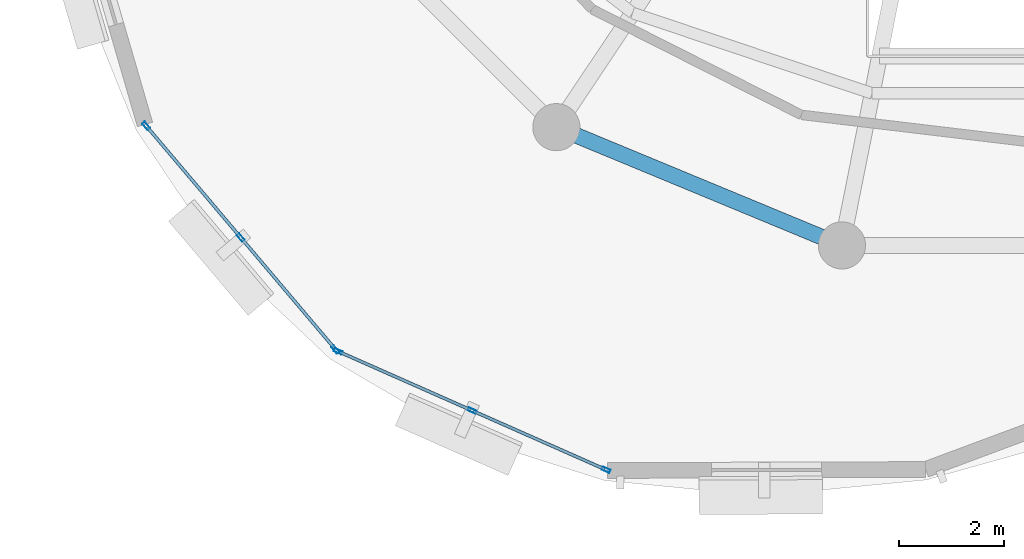
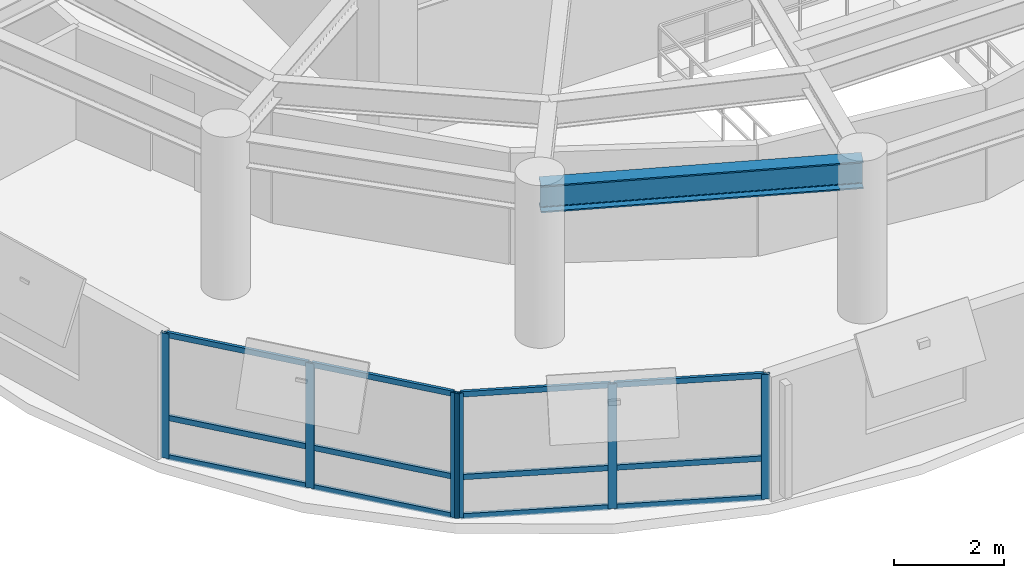
# One storey, part 2 of 11: 18 members, 1 beam, 2 elements without a shape of their own.
"""IFC4 building model written with IfcOpenShell, lengths in metres."""

from ifc_helpers import new_model, si_unit, direction, frame, origin, origin_2d, place, context, subcontext, project, spatial, hollow_rectangle, i_section, extrude, material, layer, layer_set, material_profile, profile_set, type_object, element, aggregate, save


model = new_model("IFC4")

# Units and contexts
model_context = context("Model", 3, precision=1e-05, world=origin(), true_north=direction((0.0, 1.0)))
body_context = subcontext(model_context, "Body", "Model", "MODEL_VIEW")
ifc_project = project(units=[si_unit("LENGTHUNIT", "METRE"), si_unit("AREAUNIT", "SQUARE_METRE"), si_unit("VOLUMEUNIT", "CUBIC_METRE"), si_unit("PLANEANGLEUNIT", "RADIAN"), si_unit("MASSUNIT", "GRAM", prefix="KILO"), si_unit("THERMODYNAMICTEMPERATUREUNIT", "KELVIN"), si_unit("POWERUNIT", "WATT")], contexts=[model_context])

# Site, building, storey
site_placement = place(None, origin())
site = spatial("IfcSite", under=ifc_project, at=site_placement, CompositionType="ELEMENT")
building_placement = place(site_placement, origin())
building = spatial("IfcBuilding", under=site, at=building_placement, Name="Ocrelia Relay Tower", CompositionType="ELEMENT")
storey_placement = place(building_placement, frame((0.0, 0.0, 252.0)))
storey = spatial("IfcBuildingStorey", under=building, at=storey_placement, Name="L62", CompositionType="ELEMENT", Elevation=252.0)

# Beam
ifc_material_1 = material(Name="Steel S355", Category="steel")
ifc_material_profile_1 = material_profile(ifc_material_1, i_section(OverallWidth=0.300048828125, OverallDepth=0.60009765625, WebThickness=0.015380859375, FlangeThickness=0.030029296875, FilletRadius=0.027099609375, at=origin_2d()), Name="HEB 600")
ifc_profile_set_1 = profile_set([ifc_material_profile_1], Name="Steel S355")
beam_type = type_object("IfcBeamType", Name="BM-HEB600", PredefinedType="BEAM", material=ifc_profile_set_1)
beam_placement = place(storey_placement, frame((25.61083984375, 13.44482421875, 3.080078125), z_axis=(0.923884009374, -0.382672624084, 0.0), x_axis=(0.382672624084, 0.923884009374, 0.0)))
element("IfcBeam", 1, at=beam_placement, inside=storey, type_object=beam_type, Name="L62 Perimeter Spandrel Beam S11", PredefinedType="BEAM", context=body_context, shape_type="SweptSolid", body=[
    extrude(i_section(OverallWidth=0.300048828125, OverallDepth=0.60009765625, WebThickness=0.015380859375, FlangeThickness=0.030029296875, FilletRadius=0.027099609375, at=origin_2d()), origin(), (0.0, 0.0, 1.0), 5.891845703125),
])

# Curtain wall, members
ifc_material_2 = material(Name="Aluminium and solar-control low-E glass", Category="aluminium")
ifc_layer = layer(ifc_material_2, 0.179931640625, Name="Aluminium and solar-control low-E glass")
ifc_layer_set = layer_set([ifc_layer], Name="Aluminium and solar-control low-E glass")
curtain_wall_type = type_object("IfcCurtainWallType", Name="CW-SYS-Z4-EXEC", PredefinedType="NOTDEFINED", material=ifc_layer_set)
curtain_wall_1_placement = place(storey_placement, origin())
curtain_wall_1 = element("IfcCurtainWall", 2, at=curtain_wall_1_placement, inside=storey, type_object=curtain_wall_type, Name="L62 Elliptical Tower Curtain Wall Bay 09", PredefinedType="NOTDEFINED")
ifc_material_3 = material(Name="Anodised bronze aluminium", Category="aluminium")
ifc_material_profile_2 = material_profile(ifc_material_3, hollow_rectangle(XDim=0.06494140625, YDim=0.159912109375, WallThickness=0.0048828125, at=origin_2d()), Name="CW-MUL-160x65")
ifc_profile_set_2 = profile_set([ifc_material_profile_2], Name="Anodised bronze aluminium")
member_type_1 = type_object("IfcMemberType", Name="CW-SYS-Z4-EXEC-MUL", PredefinedType="MULLION", material=ifc_profile_set_2)
member_1_placement = place(storey_placement, frame((17.791015625, 13.472412109375, 0.0), z_axis=(0.0, 0.0, 1.0), x_axis=(0.763264765443, 0.646085828535, 0.0)))
member_1 = element("IfcMember", 3, at=member_1_placement, type_object=member_type_1, Name="CW-Z4 mullion 1", PredefinedType="MULLION", context=body_context, shape_type="SweptSolid", body=[
    extrude(hollow_rectangle(XDim=0.06494140625, YDim=0.159912109375, WallThickness=0.0048828125, at=origin_2d()), origin(), (0.0, 0.0, 1.0), 2.760009765625),
])
member_2_placement = place(storey_placement, frame((19.59521484375, 11.341064453125, 0.0), z_axis=(0.0, 0.0, 1.0), x_axis=(0.763264765443, 0.646085828535, 0.0)))
member_2 = element("IfcMember", 4, at=member_2_placement, type_object=member_type_1, Name="CW-Z4 mullion 2", PredefinedType="MULLION", context=body_context, shape_type="SweptSolid", body=[
    extrude(hollow_rectangle(XDim=0.06494140625, YDim=0.159912109375, WallThickness=0.0048828125, at=origin_2d()), origin(), (0.0, 0.0, 1.0), 2.760009765625),
])
member_3_placement = place(storey_placement, frame((21.3994140625, 9.20947265625, 0.0), z_axis=(0.0, 0.0, 1.0), x_axis=(0.763264765443, 0.646085828535, 0.0)))
member_3 = element("IfcMember", 5, at=member_3_placement, type_object=member_type_1, Name="CW-Z4 mullion 3", PredefinedType="MULLION", context=body_context, shape_type="SweptSolid", body=[
    extrude(hollow_rectangle(XDim=0.06494140625, YDim=0.159912109375, WallThickness=0.0048828125, at=origin_2d()), origin(), (0.0, 0.0, 1.0), 2.760009765625),
])

curtain_wall_2_placement = place(storey_placement, origin())
curtain_wall_2 = element("IfcCurtainWall", 6, at=curtain_wall_2_placement, inside=storey, type_object=curtain_wall_type, Name="L62 Elliptical Tower Curtain Wall Bay 10", PredefinedType="NOTDEFINED")
member_4_placement = place(storey_placement, frame((21.4501953125, 9.17138671875, 0.0), z_axis=(0.0, 0.0, 1.0), x_axis=(0.404298486673, 0.914627100885, 0.0)))
member_4 = element("IfcMember", 7, at=member_4_placement, type_object=member_type_1, Name="CW-Z4 mullion 1", PredefinedType="MULLION", context=body_context, shape_type="SweptSolid", body=[
    extrude(hollow_rectangle(XDim=0.06494140625, YDim=0.159912109375, WallThickness=0.0048828125, at=origin_2d()), origin(), (0.0, 0.0, 1.0), 2.760009765625),
])
member_5_placement = place(storey_placement, frame((24.00439453125, 8.04248046875, 0.0), z_axis=(0.0, 0.0, 1.0), x_axis=(0.404298486673, 0.914627100885, 0.0)))
member_5 = element("IfcMember", 8, at=member_5_placement, type_object=member_type_1, Name="CW-Z4 mullion 2", PredefinedType="MULLION", context=body_context, shape_type="SweptSolid", body=[
    extrude(hollow_rectangle(XDim=0.06494140625, YDim=0.159912109375, WallThickness=0.0048828125, at=origin_2d()), origin(), (0.0, 0.0, 1.0), 2.760009765625),
])
member_6_placement = place(storey_placement, frame((26.55859375, 6.913330078125, 0.0), z_axis=(0.0, 0.0, 1.0), x_axis=(0.404298486673, 0.914627100885, 0.0)))
member_6 = element("IfcMember", 9, at=member_6_placement, type_object=member_type_1, Name="CW-Z4 mullion 3", PredefinedType="MULLION", context=body_context, shape_type="SweptSolid", body=[
    extrude(hollow_rectangle(XDim=0.06494140625, YDim=0.159912109375, WallThickness=0.0048828125, at=origin_2d()), origin(), (0.0, 0.0, 1.0), 2.760009765625),
])

# Member
ifc_material_profile_3 = material_profile(ifc_material_3, hollow_rectangle(XDim=0.06005859375, YDim=0.1201171875, WallThickness=0.0048828125, at=origin_2d()), Name="CW-TRN-120x60")
ifc_profile_set_3 = profile_set([ifc_material_profile_3], Name="Anodised bronze aluminium")
member_type_2 = type_object("IfcMemberType", Name="CW-SYS-Z4-EXEC-TRN", PredefinedType="USERDEFINED", material=ifc_profile_set_3)
member_7_placement = place(storey_placement, frame((17.81201171875, 13.44775390625, 0.030029296875), z_axis=(0.646046554969, -0.763298007866, 0.0), x_axis=(0.763298007866, 0.646046554969, 0.0)))
member_7 = element("IfcMember", 10, at=member_7_placement, type_object=member_type_2, Name="CW-Z4 transom 1.1", ObjectType="TRANSOM", PredefinedType="USERDEFINED", context=body_context, shape_type="SweptSolid", body=[
    extrude(hollow_rectangle(XDim=0.06005859375, YDim=0.1201171875, WallThickness=0.0048828125, at=origin_2d()), origin(), (0.0, 0.0, 1.0), 2.727783203125),
])

member_8_placement = place(storey_placement, frame((17.81201171875, 13.44775390625, 0.89990234375), z_axis=(0.646046554969, -0.763298007866, 0.0), x_axis=(0.763298007866, 0.646046554969, 0.0)))
member_8 = element("IfcMember", 11, at=member_8_placement, type_object=member_type_2, Name="CW-Z4 transom 1.2", ObjectType="TRANSOM", PredefinedType="USERDEFINED", context=body_context, shape_type="SweptSolid", body=[
    extrude(hollow_rectangle(XDim=0.06005859375, YDim=0.1201171875, WallThickness=0.0048828125, at=origin_2d()), origin(), (0.0, 0.0, 1.0), 2.727783203125),
])

member_9_placement = place(storey_placement, frame((17.81201171875, 13.44775390625, 2.72998046875), z_axis=(0.646046554969, -0.763298007866, 0.0), x_axis=(0.763298007866, 0.646046554969, 0.0)))
member_9 = element("IfcMember", 12, at=member_9_placement, type_object=member_type_2, Name="CW-Z4 transom 1.3", ObjectType="TRANSOM", PredefinedType="USERDEFINED", context=body_context, shape_type="SweptSolid", body=[
    extrude(hollow_rectangle(XDim=0.06005859375, YDim=0.1201171875, WallThickness=0.0048828125, at=origin_2d()), origin(), (0.0, 0.0, 1.0), 2.727783203125),
])

member_10_placement = place(storey_placement, frame((19.6162109375, 11.316162109375, 0.030029296875), z_axis=(0.646046554969, -0.763298007866, 0.0), x_axis=(0.763298007866, 0.646046554969, 0.0)))
member_10 = element("IfcMember", 13, at=member_10_placement, type_object=member_type_2, Name="CW-Z4 transom 2.1", ObjectType="TRANSOM", PredefinedType="USERDEFINED", context=body_context, shape_type="SweptSolid", body=[
    extrude(hollow_rectangle(XDim=0.06005859375, YDim=0.1201171875, WallThickness=0.0048828125, at=origin_2d()), origin(), (0.0, 0.0, 1.0), 2.727783203125),
])

member_11_placement = place(storey_placement, frame((19.6162109375, 11.316162109375, 0.89990234375), z_axis=(0.646046554969, -0.763298007866, 0.0), x_axis=(0.763298007866, 0.646046554969, 0.0)))
member_11 = element("IfcMember", 14, at=member_11_placement, type_object=member_type_2, Name="CW-Z4 transom 2.2", ObjectType="TRANSOM", PredefinedType="USERDEFINED", context=body_context, shape_type="SweptSolid", body=[
    extrude(hollow_rectangle(XDim=0.06005859375, YDim=0.1201171875, WallThickness=0.0048828125, at=origin_2d()), origin(), (0.0, 0.0, 1.0), 2.727783203125),
])

member_12_placement = place(storey_placement, frame((19.6162109375, 11.316162109375, 2.72998046875), z_axis=(0.646046554969, -0.763298007866, 0.0), x_axis=(0.763298007866, 0.646046554969, 0.0)))
member_12 = element("IfcMember", 15, at=member_12_placement, type_object=member_type_2, Name="CW-Z4 transom 2.3", ObjectType="TRANSOM", PredefinedType="USERDEFINED", context=body_context, shape_type="SweptSolid", body=[
    extrude(hollow_rectangle(XDim=0.06005859375, YDim=0.1201171875, WallThickness=0.0048828125, at=origin_2d()), origin(), (0.0, 0.0, 1.0), 2.727783203125),
])

aggregate(curtain_wall_1, [member_1, member_2, member_3, member_7, member_8, member_9, member_10, member_11, member_12])

member_13_placement = place(storey_placement, frame((21.47998046875, 9.158203125, 0.030029296875), z_axis=(0.914618101267, -0.40431884551, 0.0), x_axis=(0.40431884551, 0.914618101267, 0.0)))
member_13 = element("IfcMember", 16, at=member_13_placement, type_object=member_type_2, Name="CW-Z4 transom 1.1", ObjectType="TRANSOM", PredefinedType="USERDEFINED", context=body_context, shape_type="SweptSolid", body=[
    extrude(hollow_rectangle(XDim=0.06005859375, YDim=0.1201171875, WallThickness=0.0048828125, at=origin_2d()), origin(), (0.0, 0.0, 1.0), 2.7275390625),
])

member_14_placement = place(storey_placement, frame((21.47998046875, 9.158203125, 0.89990234375), z_axis=(0.914618101267, -0.40431884551, 0.0), x_axis=(0.40431884551, 0.914618101267, 0.0)))
member_14 = element("IfcMember", 17, at=member_14_placement, type_object=member_type_2, Name="CW-Z4 transom 1.2", ObjectType="TRANSOM", PredefinedType="USERDEFINED", context=body_context, shape_type="SweptSolid", body=[
    extrude(hollow_rectangle(XDim=0.06005859375, YDim=0.1201171875, WallThickness=0.0048828125, at=origin_2d()), origin(), (0.0, 0.0, 1.0), 2.7275390625),
])

member_15_placement = place(storey_placement, frame((21.47998046875, 9.158203125, 2.72998046875), z_axis=(0.914618101267, -0.40431884551, 0.0), x_axis=(0.40431884551, 0.914618101267, 0.0)))
member_15 = element("IfcMember", 18, at=member_15_placement, type_object=member_type_2, Name="CW-Z4 transom 1.3", ObjectType="TRANSOM", PredefinedType="USERDEFINED", context=body_context, shape_type="SweptSolid", body=[
    extrude(hollow_rectangle(XDim=0.06005859375, YDim=0.1201171875, WallThickness=0.0048828125, at=origin_2d()), origin(), (0.0, 0.0, 1.0), 2.7275390625),
])

member_16_placement = place(storey_placement, frame((24.0341796875, 8.029296875, 0.030029296875), z_axis=(0.914632732083, -0.404285747218, 0.0), x_axis=(0.404285747218, 0.914632732083, 0.0)))
member_16 = element("IfcMember", 19, at=member_16_placement, type_object=member_type_2, Name="CW-Z4 transom 2.1", ObjectType="TRANSOM", PredefinedType="USERDEFINED", context=body_context, shape_type="SweptSolid", body=[
    extrude(hollow_rectangle(XDim=0.06005859375, YDim=0.1201171875, WallThickness=0.0048828125, at=origin_2d()), origin(), (0.0, 0.0, 1.0), 2.727783203125),
])

member_17_placement = place(storey_placement, frame((24.0341796875, 8.029296875, 0.89990234375), z_axis=(0.914632732083, -0.404285747218, 0.0), x_axis=(0.404285747218, 0.914632732083, 0.0)))
member_17 = element("IfcMember", 20, at=member_17_placement, type_object=member_type_2, Name="CW-Z4 transom 2.2", ObjectType="TRANSOM", PredefinedType="USERDEFINED", context=body_context, shape_type="SweptSolid", body=[
    extrude(hollow_rectangle(XDim=0.06005859375, YDim=0.1201171875, WallThickness=0.0048828125, at=origin_2d()), origin(), (0.0, 0.0, 1.0), 2.727783203125),
])

member_18_placement = place(storey_placement, frame((24.0341796875, 8.029296875, 2.72998046875), z_axis=(0.914632732083, -0.404285747218, 0.0), x_axis=(0.404285747218, 0.914632732083, 0.0)))
member_18 = element("IfcMember", 21, at=member_18_placement, type_object=member_type_2, Name="CW-Z4 transom 2.3", ObjectType="TRANSOM", PredefinedType="USERDEFINED", context=body_context, shape_type="SweptSolid", body=[
    extrude(hollow_rectangle(XDim=0.06005859375, YDim=0.1201171875, WallThickness=0.0048828125, at=origin_2d()), origin(), (0.0, 0.0, 1.0), 2.727783203125),
])

aggregate(curtain_wall_2, [member_4, member_5, member_6, member_13, member_14, member_15, member_16, member_17, member_18])

save(model, "model.ifc")
